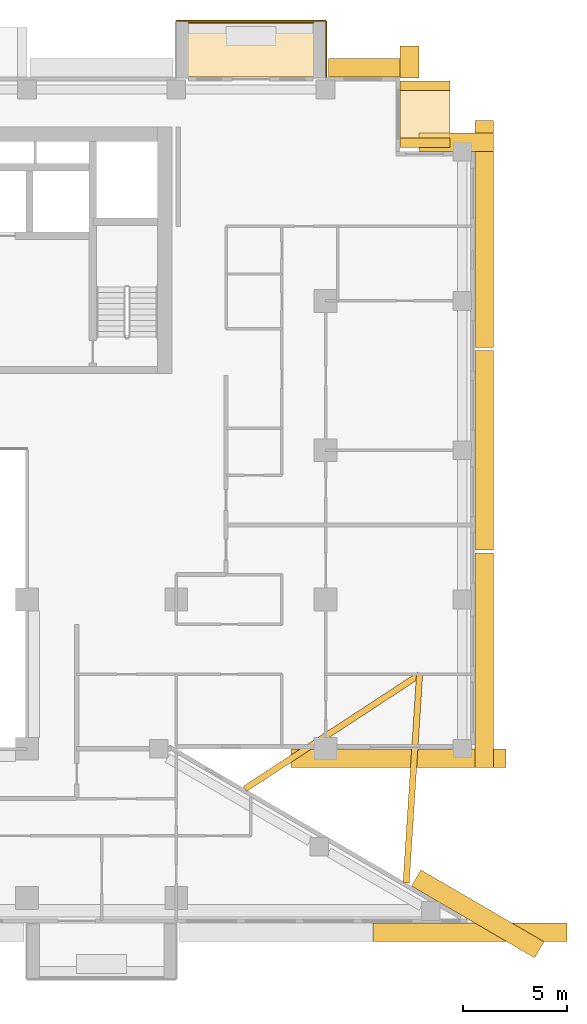
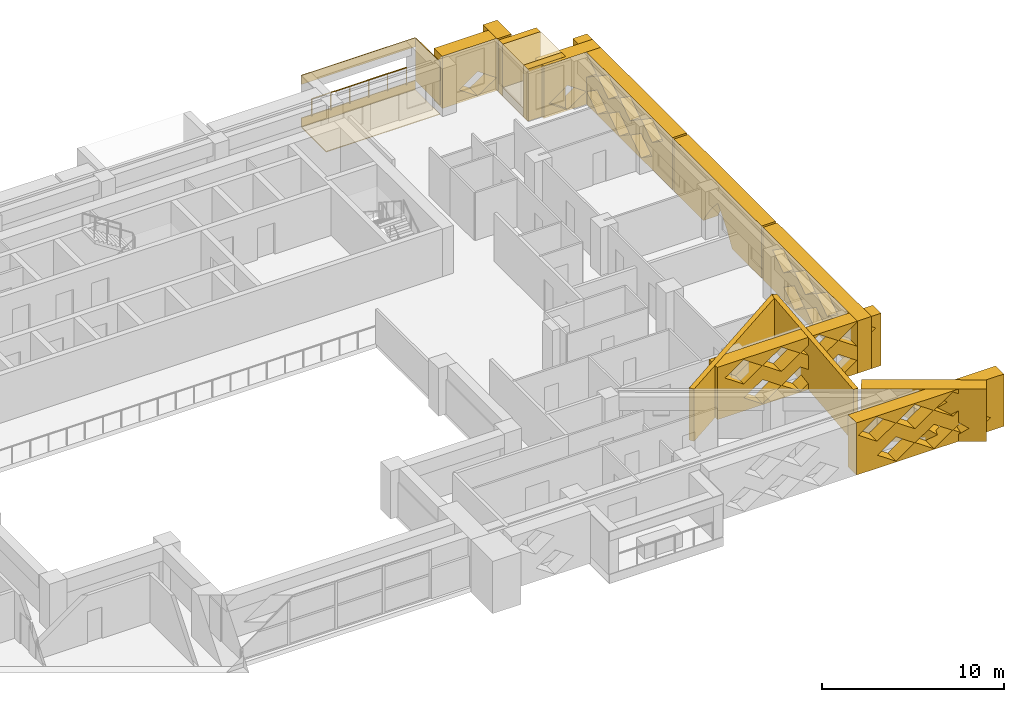
# One storey, part 19 of 19: 19 coverings, 1 railing.
"""IFC4 building model written with IfcOpenShell, lengths in metres."""

from ifc_helpers import new_model, si_unit, direction, frame, origin, origin_2d, place, context, subcontext, project, spatial, polyline, circle, outline, extrude, material, layer, layer_set, type_object, element, save


model = new_model("IFC4")

# Units and contexts
model_context = context("Model", 3, precision=1e-05, world=origin(), true_north=direction((0.0, 1.0)))
body_context = subcontext(model_context, "Body", "Model", "MODEL_VIEW")
ifc_project = project(units=[si_unit("LENGTHUNIT", "METRE"), si_unit("AREAUNIT", "SQUARE_METRE"), si_unit("VOLUMEUNIT", "CUBIC_METRE"), si_unit("PLANEANGLEUNIT", "RADIAN"), si_unit("MASSUNIT", "GRAM", prefix="KILO")], contexts=[model_context])

# Site, building, storey
site_placement = place(None, origin())
site = spatial("IfcSite", under=ifc_project, at=site_placement, CompositionType="ELEMENT")
building_placement = place(site_placement, origin())
building = spatial("IfcBuilding", under=site, at=building_placement, Name="Saffron Iwan Residences", CompositionType="ELEMENT")
storey_placement = place(building_placement, frame((0.0, 0.0, 116.5)))
storey = spatial("IfcBuildingStorey", under=building, at=storey_placement, Name="L30", CompositionType="ELEMENT", Elevation=116.5)

# Railing
ifc_material_1 = material(Name="Stainless steel 316", Category="steel")
railing_type = type_object("IfcRailingType", Name="BALCONY GUARD 1150", PredefinedType="GUARDRAIL", material=ifc_material_1)
railing_placement = place(storey_placement, frame((78.60009765625, 83.02490234375, 0.0)))
element("IfcRailing", 1, at=railing_placement, inside=storey, type_object=railing_type, Name="Balcony guard L30 F5-0", PredefinedType="GUARDRAIL", context=body_context, shape_type="SweptSolid", body=[
    extrude(circle(Radius=0.02392578125, at=origin_2d()), frame((0.0, 0.0, 1.1259765625), z_axis=(-1.0, 0.0, 0.0), x_axis=(0.0, -1.0, 0.0)), (0.0, 0.0, 1.0), 6.0),
    extrude(circle(Radius=0.02099609375, at=origin_2d()), origin(), (0.0, 0.0, 1.0), 1.101806640625),
    extrude(circle(Radius=0.02099609375, at=origin_2d()), frame((-1.199951171875, 0.0, 0.0)), (0.0, 0.0, 1.0), 1.101806640625),
    extrude(circle(Radius=0.02099609375, at=origin_2d()), frame((-2.39990234375, 0.0, 0.0)), (0.0, 0.0, 1.0), 1.101806640625),
    extrude(circle(Radius=0.02099609375, at=origin_2d()), frame((-3.60009765625, 0.0, 0.0)), (0.0, 0.0, 1.0), 1.101806640625),
    extrude(circle(Radius=0.02099609375, at=origin_2d()), frame((-4.800048828125, 0.0, 0.0)), (0.0, 0.0, 1.0), 1.101806640625),
    extrude(circle(Radius=0.02099609375, at=origin_2d()), frame((-6.0, 0.0, 0.0)), (0.0, 0.0, 1.0), 1.101806640625),
])

# Coverings
ifc_material_2 = material(Name="Precast concrete C40/50 white painted", Category="concrete")
ifc_layer_1 = layer(ifc_material_2, 0.050048828125)
ifc_layer_set_1 = layer_set([ifc_layer_1], Name="Precast concrete C40/50 white painted")
covering_type_1 = type_object("IfcCoveringType", Name="FRAME SKIN PRECAST WHITE 50", PredefinedType="CLADDING", material=ifc_layer_set_1)
for number, where, name in (
    (2, (0.0, 0.0, -0.60009765625), "Frame skin slab edge L30 F5-0"),
    (3, (0.0, 0.0, 2.25), "Frame skin fascia L30 F5-0"),
):
    element("IfcCovering", number, at=place(storey_placement, frame(where)), inside=storey, type_object=covering_type_1, Name=name, PredefinedType="CLADDING", context=body_context, shape_type="SweptSolid", body=[
        extrude(outline(polyline([(79.199951171875, 83.14990234375), (72.0, 83.14990234375), (72.0, 83.10009765625), (79.199951171875, 83.10009765625), (79.199951171875, 83.14990234375)])), origin(), (0.0, 0.0, 1.0), 0.60009765625),
    ])
covering_1_placement = place(storey_placement, frame((0.0, 0.0, -0.64990234375)))
element("IfcCovering", 4, at=covering_1_placement, inside=storey, type_object=covering_type_1, Name="Frame skin soffit L30 F5-0", PredefinedType="CLADDING", context=body_context, shape_type="SweptSolid", body=[
    extrude(outline(polyline([(79.199951171875, 83.10009765625), (72.0, 83.10009765625), (72.0, 80.39990234375), (79.199951171875, 80.39990234375), (79.199951171875, 83.10009765625)])), origin(), (0.0, 0.0, 1.0), 0.0498046875),
])
covering_2_placement = place(storey_placement, origin())
element("IfcCovering", 5, at=covering_2_placement, inside=storey, type_object=covering_type_1, Name="Frame skin fin L30 F5-0a", PredefinedType="CLADDING", context=body_context, shape_type="SweptSolid", body=[
    extrude(outline(polyline([(79.25, 83.10009765625), (79.199951171875, 83.10009765625), (79.199951171875, 80.39990234375), (79.25, 80.39990234375), (79.25, 83.10009765625)])), origin(), (0.0, 0.0, 1.0), 2.85009765625),
])
covering_type_2 = type_object("IfcCoveringType", Name="IWAN PANEL PRECAST WHITE", PredefinedType="CLADDING", material=ifc_material_2)
covering_3_placement = place(storey_placement, frame((86.39990234375, 57.60009765625, -0.300048828125), z_axis=(1.0, 0.0, 0.0), x_axis=(0.0, 1.0, 0.0)))
element("IfcCovering", 6, at=covering_3_placement, inside=storey, type_object=covering_type_2, Name="Iwan panel L30 F2.0", PredefinedType="CLADDING", context=body_context, shape_type="SweptSolid", body=[
    extrude(outline(polyline([(0.0, 0.0), (0.0, 3.5), (9.60009765625, 3.5), (9.60009765625, 0.0), (6.369384765625, 0.0), (6.141357421875, 0.40576171875), (5.7392578125, 1.005126953125), (5.291259765625, 1.571044921875), (4.800048828125, 2.10009765625), (4.308837890625, 1.571044921875), (3.86083984375, 1.005126953125), (3.45849609375, 0.40576171875), (3.230712890625, 0.0), (0.0, 0.0)])), origin(), (0.0, 0.0, 1.0), 0.900146484375),
])
ifc_material_3 = material(Name="Precast concrete C40/50", Category="concrete")
covering_type_3 = type_object("IfcCoveringType", Name="OUTER SKIN LATTICE SCREEN", PredefinedType="CLADDING", material=ifc_material_3)
covering_4_placement = place(storey_placement, frame((89.283935546875, 37.917724609375, -0.300048828125), z_axis=(0.503803550485, 0.863818257806, 0.0), x_axis=(-0.863818257806, 0.503803550485, 0.0)))
element("IfcCovering", 7, at=covering_4_placement, inside=storey, type_object=covering_type_3, Name="OUTER SKIN lattice screen L30 F0.0", PredefinedType="CLADDING", context=body_context, shape_type="SweptSolid", body=[
    extrude(outline(polyline([(0.0, 0.0), (6.874267578125, 0.0), (6.874267578125, 3.5), (0.0, 3.5), (0.0, 0.0)]), holes=[polyline([(0.958740234375, 0.875), (2.138671875, 0.06005859375), (3.318603515625, 0.875), (2.138671875, 1.68994140625), (0.958740234375, 0.875)]), polyline([(3.358642578125, 0.875), (4.538818359375, 0.06005859375), (5.71875, 0.875), (4.538818359375, 1.68994140625), (3.358642578125, 0.875)]), polyline([(2.15869140625, 2.625), (3.338623046875, 1.81005859375), (4.518798828125, 2.625), (3.338623046875, 3.43994140625), (2.15869140625, 2.625)])]), origin(), (0.0, 0.0, 1.0), 0.89990234375),
])
covering_5_placement = place(storey_placement, frame((77.538818359375, 48.0, -0.300048828125), z_axis=(0.0, -1.0, 0.0), x_axis=(1.0, 0.0, 0.0)))
element("IfcCovering", 8, at=covering_5_placement, inside=storey, type_object=covering_type_3, Name="OUTER SKIN lattice screen L30 F1.0", PredefinedType="CLADDING", context=body_context, shape_type="SweptSolid", body=[
    extrude(outline(polyline([(0.0, 0.0), (10.361328125, 0.0), (10.361328125, 3.5), (0.0, 3.5), (0.0, 0.0)]), holes=[polyline([(1.681396484375, 0.875), (2.861328125, 0.06005859375), (4.041259765625, 0.875), (2.861328125, 1.68994140625), (1.681396484375, 0.875)]), polyline([(4.081298828125, 0.875), (5.26123046875, 0.06005859375), (6.44140625, 0.875), (5.26123046875, 1.68994140625), (4.081298828125, 0.875)]), polyline([(6.481201171875, 0.875), (7.661376953125, 0.06005859375), (8.84130859375, 0.875), (7.661376953125, 1.68994140625), (6.481201171875, 0.875)]), polyline([(0.481201171875, 2.625), (1.661376953125, 1.81005859375), (2.84130859375, 2.625), (1.661376953125, 3.43994140625), (0.481201171875, 2.625)]), polyline([(2.88134765625, 2.625), (4.061279296875, 1.81005859375), (5.2412109375, 2.625), (4.061279296875, 3.43994140625), (2.88134765625, 2.625)]), polyline([(5.28125, 2.625), (6.461181640625, 1.81005859375), (7.641357421875, 2.625), (6.461181640625, 3.43994140625), (5.28125, 2.625)]), polyline([(7.681396484375, 2.625), (8.861328125, 1.81005859375), (10.041259765625, 2.625), (8.861328125, 3.43994140625), (7.681396484375, 2.625)])]), origin(), (0.0, 0.0, 1.0), 0.89990234375),
])
covering_6_placement = place(storey_placement, frame((86.39990234375, 47.10009765625, -0.300048828125), z_axis=(1.0, 0.0, 0.0), x_axis=(0.0, 1.0, 0.0)))
element("IfcCovering", 9, at=covering_6_placement, inside=storey, type_object=covering_type_3, Name="OUTER SKIN lattice screen L30 F2.0", PredefinedType="CLADDING", context=body_context, shape_type="SweptSolid", body=[
    extrude(outline(polyline([(0.0, 0.0), (10.35009765625, 0.0), (10.35009765625, 3.5), (0.0, 3.5), (0.0, 0.0)]), holes=[polyline([(0.919921875, 0.875), (2.10009765625, 0.06005859375), (3.280029296875, 0.875), (2.10009765625, 1.68994140625), (0.919921875, 0.875)]), polyline([(3.320068359375, 0.875), (4.5, 0.06005859375), (5.679931640625, 0.875), (4.5, 1.68994140625), (3.320068359375, 0.875)]), polyline([(5.719970703125, 0.875), (6.89990234375, 0.06005859375), (8.080078125, 0.875), (6.89990234375, 1.68994140625), (5.719970703125, 0.875)]), polyline([(2.1201171875, 2.625), (3.300048828125, 1.81005859375), (4.47998046875, 2.625), (3.300048828125, 3.43994140625), (2.1201171875, 2.625)]), polyline([(4.52001953125, 2.625), (5.699951171875, 1.81005859375), (6.8798828125, 2.625), (5.699951171875, 3.43994140625), (4.52001953125, 2.625)]), polyline([(6.919921875, 2.625), (8.10009765625, 1.81005859375), (9.280029296875, 2.625), (8.10009765625, 3.43994140625), (6.919921875, 2.625)])]), origin(), (0.0, 0.0, 1.0), 0.900146484375),
])
covering_7_placement = place(storey_placement, frame((86.39990234375, 67.35009765625, -0.300048828125), z_axis=(1.0, 0.0, 0.0), x_axis=(0.0, 1.0, 0.0)))
element("IfcCovering", 10, at=covering_7_placement, inside=storey, type_object=covering_type_3, Name="OUTER SKIN lattice screen L30 F2.1", PredefinedType="CLADDING", context=body_context, shape_type="SweptSolid", body=[
    extrude(outline(polyline([(0.0, 0.0), (10.949951171875, 0.0), (10.949951171875, 3.5), (0.0, 3.5), (0.0, 0.0)]), holes=[polyline([(2.27001953125, 0.875), (3.449951171875, 0.06005859375), (4.6298828125, 0.875), (3.449951171875, 1.68994140625), (2.27001953125, 0.875)]), polyline([(4.669921875, 0.875), (5.85009765625, 0.06005859375), (7.030029296875, 0.875), (5.85009765625, 1.68994140625), (4.669921875, 0.875)]), polyline([(7.070068359375, 0.875), (8.25, 0.06005859375), (9.429931640625, 0.875), (8.25, 1.68994140625), (7.070068359375, 0.875)]), polyline([(1.070068359375, 2.625), (2.25, 1.81005859375), (3.429931640625, 2.625), (2.25, 3.43994140625), (1.070068359375, 2.625)]), polyline([(3.469970703125, 2.625), (4.64990234375, 1.81005859375), (5.830078125, 2.625), (4.64990234375, 3.43994140625), (3.469970703125, 2.625)]), polyline([(5.8701171875, 2.625), (7.050048828125, 1.81005859375), (8.22998046875, 2.625), (7.050048828125, 3.43994140625), (5.8701171875, 2.625)]), polyline([(8.27001953125, 2.625), (9.449951171875, 1.81005859375), (10.6298828125, 2.625), (9.449951171875, 3.43994140625), (8.27001953125, 2.625)])]), origin(), (0.0, 0.0, 1.0), 0.900146484375),
])
covering_8_placement = place(storey_placement, frame((87.300048828125, 76.800048828125, -0.300048828125), z_axis=(0.0, 1.0, 0.0), x_axis=(-1.0, 0.0, 0.0)))
element("IfcCovering", 11, at=covering_8_placement, inside=storey, type_object=covering_type_3, Name="OUTER SKIN lattice screen L30 F3.0", PredefinedType="CLADDING", context=body_context, shape_type="SweptSolid", body=[
    extrude(outline(polyline([(0.0, 0.0), (3.60009765625, 0.0), (3.60009765625, 3.5), (0.0, 3.5), (0.0, 0.0)]), holes=[polyline([(0.919921875, 0.875), (2.10009765625, 0.06005859375), (3.280029296875, 0.875), (2.10009765625, 1.68994140625), (0.919921875, 0.875)])]), origin(), (0.0, 0.0, 1.0), 0.89990234375),
])
covering_9_placement = place(storey_placement, frame((82.800048828125, 80.35009765625, -0.300048828125), z_axis=(1.0, 0.0, 0.0), x_axis=(0.0, 1.0, 0.0)))
element("IfcCovering", 12, at=covering_9_placement, inside=storey, type_object=covering_type_3, Name="OUTER SKIN lattice screen L30 F4.0", PredefinedType="CLADDING", context=body_context, shape_type="SweptSolid", body=[
    extrude(outline(polyline([(0.0, 0.0), (1.550048828125, 0.0), (1.550048828125, 3.5), (0.0, 3.5), (0.0, 0.0)])), origin(), (0.0, 0.0, 1.0), 0.89990234375),
])
covering_10_placement = place(storey_placement, frame((83.699951171875, 80.39990234375, -0.300048828125), z_axis=(0.0, 1.0, 0.0), x_axis=(-1.0, 0.0, 0.0)))
element("IfcCovering", 13, at=covering_10_placement, inside=storey, type_object=covering_type_3, Name="OUTER SKIN lattice screen L30 F5.0", PredefinedType="CLADDING", context=body_context, shape_type="SweptSolid", body=[
    extrude(outline(polyline([(0.0, 0.0), (4.35009765625, 0.0), (4.35009765625, 3.5), (0.0, 3.5), (0.0, 0.0)]), holes=[polyline([(0.919921875, 0.875), (2.10009765625, 0.06005859375), (3.280029296875, 0.875), (2.10009765625, 1.68994140625), (0.919921875, 0.875)])]), origin(), (0.0, 0.0, 1.0), 0.900146484375),
])
covering_11_placement = place(storey_placement, frame((81.494384765625, 39.60009765625, -0.300048828125), z_axis=(0.0, -1.0, 0.0), x_axis=(1.0, 0.0, 0.0)))
element("IfcCovering", 14, at=covering_11_placement, inside=storey, type_object=covering_type_3, Name="OUTER SKIN lattice screen L30 F11.4", PredefinedType="CLADDING", context=body_context, shape_type="SweptSolid", body=[
    extrude(outline(polyline([(0.0, 0.0), (9.344482421875, 0.0), (9.344482421875, 3.5), (0.0, 3.5), (0.0, 0.0)]), holes=[polyline([(1.32568359375, 0.875), (2.505615234375, 0.06005859375), (3.685791015625, 0.875), (2.505615234375, 1.68994140625), (1.32568359375, 0.875)]), polyline([(3.7255859375, 0.875), (4.90576171875, 0.06005859375), (6.085693359375, 0.875), (4.90576171875, 1.68994140625), (3.7255859375, 0.875)]), polyline([(6.125732421875, 0.875), (7.3056640625, 0.06005859375), (8.485595703125, 0.875), (7.3056640625, 1.68994140625), (6.125732421875, 0.875)]), polyline([(0.125732421875, 2.625), (1.3056640625, 1.81005859375), (2.485595703125, 2.625), (1.3056640625, 3.43994140625), (0.125732421875, 2.625)]), polyline([(2.525634765625, 2.625), (3.705810546875, 1.81005859375), (4.8857421875, 2.625), (3.705810546875, 3.43994140625), (2.525634765625, 2.625)]), polyline([(4.92578125, 2.625), (6.105712890625, 1.81005859375), (7.28564453125, 2.625), (6.105712890625, 3.43994140625), (4.92578125, 2.625)])]), origin(), (0.0, 0.0, 1.0), 0.900146484375),
])
ifc_layer_2 = layer(ifc_material_2, 0.300048828125)
ifc_layer_set_2 = layer_set([ifc_layer_2], Name="Precast concrete C40/50 white painted")
covering_type_4 = type_object("IfcCoveringType", Name="PROW NOSE BLADE PRECAST WHITE", PredefinedType="CLADDING", material=ifc_layer_set_2)
covering_12_placement = place(storey_placement, frame((0.0, 0.0, -0.300048828125)))
element("IfcCovering", 15, at=covering_12_placement, inside=storey, type_object=covering_type_4, Name="Prow nose blade L30 a", PredefinedType="CLADDING", context=body_context, shape_type="SweptSolid", body=[
    extrude(outline(polyline([(83.23681640625, 41.52294921875), (83.884521484375, 51.564453125), (83.585205078125, 51.583740234375), (82.937255859375, 41.542236328125), (83.23681640625, 41.52294921875)])), origin(), (0.0, 0.0, 1.0), 3.5),
])
covering_13_placement = place(storey_placement, frame((0.0, 0.0, -0.300048828125)))
element("IfcCovering", 16, at=covering_13_placement, inside=storey, type_object=covering_type_4, Name="Prow nose blade L30 b", PredefinedType="CLADDING", context=body_context, shape_type="SweptSolid", body=[
    extrude(outline(polyline([(75.39501953125, 45.94189453125), (83.81689453125, 51.448486328125), (83.65283203125, 51.69970703125), (75.23095703125, 46.193115234375), (75.39501953125, 45.94189453125)])), origin(), (0.0, 0.0, 1.0), 3.5),
])
covering_type_5 = type_object("IfcCoveringType", Name="WHITE SUN FRAME PRECAST", PredefinedType="CLADDING", material=ifc_material_2)
for number, where, z_axis, x_axis, name in (
    (17, (82.800048828125, 77.0, -0.300048828125), (1.0, 0.0, 0.0), (0.0, 1.0, 0.0), "Sun frame L30 F4 0.2a"),
    (18, (82.800048828125, 79.75, -0.300048828125), (1.0, 0.0, 0.0), (0.0, 1.0, 0.0), "Sun frame L30 F4 0.2b"),
):
    element("IfcCovering", number, at=place(storey_placement, frame(where, z_axis=z_axis, x_axis=x_axis)), inside=storey, type_object=covering_type_5, Name=name, PredefinedType="CLADDING", context=body_context, shape_type="SweptSolid", body=[
        extrude(outline(polyline([(0.0, 0.0), (0.449951171875, 0.0), (0.449951171875, 3.5), (0.0, 3.5), (0.0, 0.0)])), origin(), (0.0, 0.0, 1.0), 2.39990234375),
    ])
for number, where, z_axis, x_axis, name in (
    (19, (82.800048828125, 77.449951171875, 2.60009765625), (1.0, 0.0, 0.0), (0.0, 1.0, 0.0), "Sun frame L30 F4 0.2h"),
    (20, (82.800048828125, 77.449951171875, -0.300048828125), (1.0, 0.0, 0.0), (0.0, 1.0, 0.0), "Sun frame L30 F4 0.2s"),
):
    element("IfcCovering", number, at=place(storey_placement, frame(where, z_axis=z_axis, x_axis=x_axis)), inside=storey, type_object=covering_type_5, Name=name, PredefinedType="CLADDING", context=body_context, shape_type="SweptSolid", body=[
        extrude(outline(polyline([(0.0, 0.0), (2.300048828125, 0.0), (2.300048828125, 0.60009765625), (0.0, 0.60009765625), (0.0, 0.0)])), origin(), (0.0, 0.0, 1.0), 2.39990234375),
    ])

save(model, "model.ifc")
